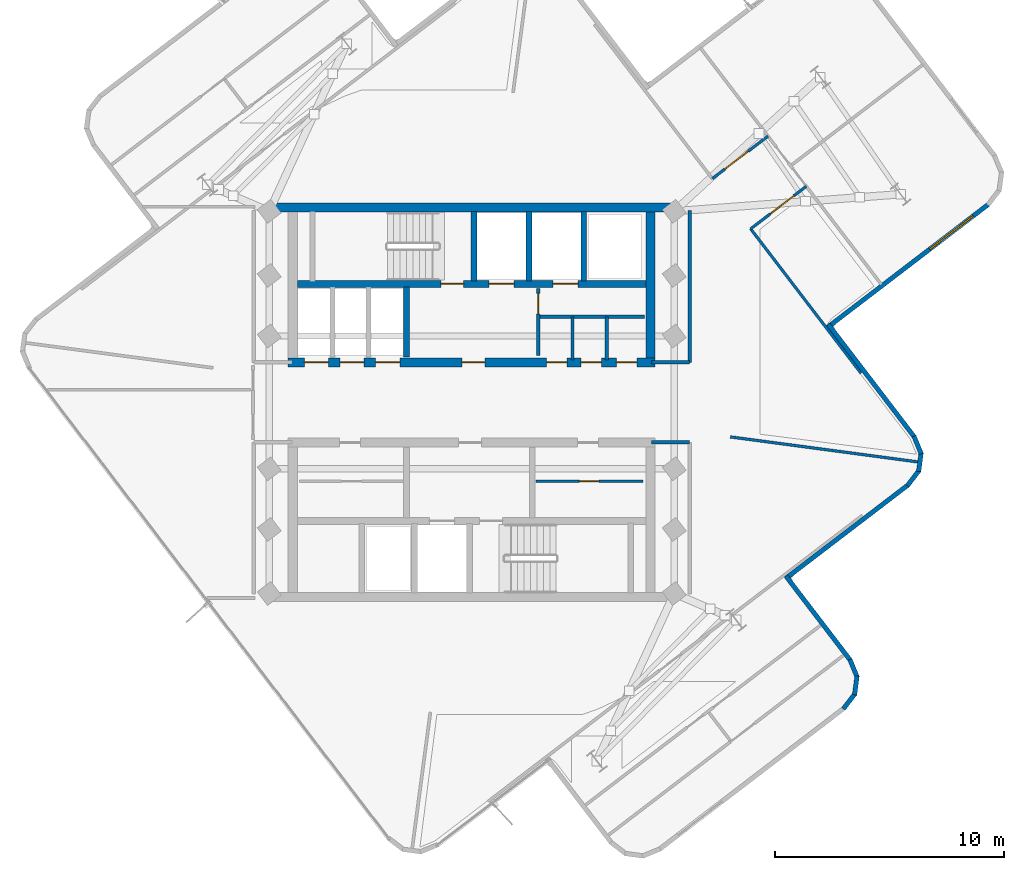
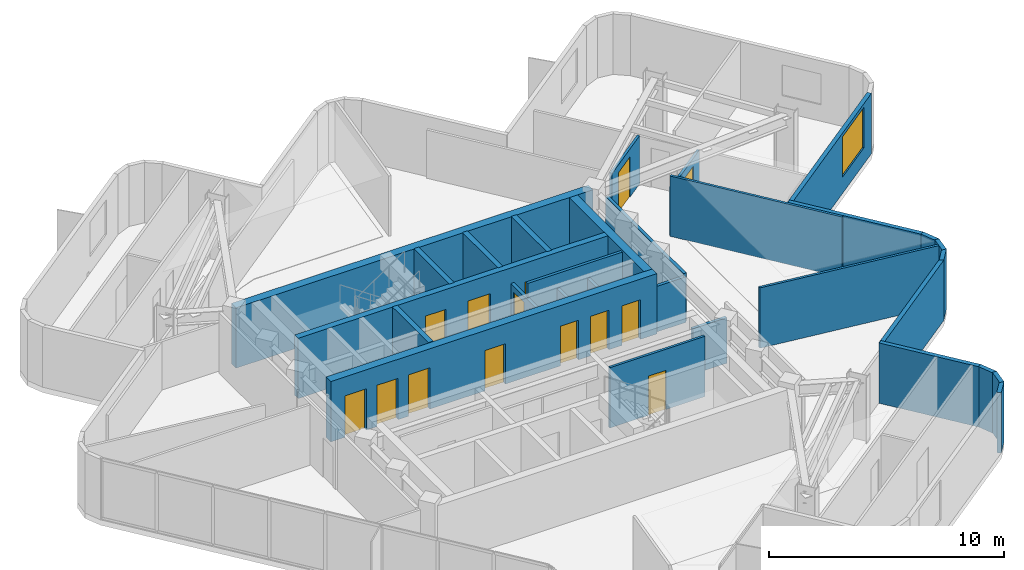
# One storey, part 6 of 9: 30 walls, 14 doors, 1 window, 15 openings.
"""IFC4 building model written with IfcOpenShell, lengths in metres."""

from ifc_helpers import new_model, si_unit, direction, frame, frame_2d, origin, place, context, subcontext, project, spatial, rectangle, extrude, material, layer, layer_set, type_object, element, fill, save


model = new_model("IFC4")

# Units and contexts
model_context = context("Model", 3, precision=1e-05, world=origin(), true_north=direction((0.0, 1.0)))
body_context = subcontext(model_context, "Body", "Model", "MODEL_VIEW")
ifc_project = project(units=[si_unit("LENGTHUNIT", "METRE"), si_unit("AREAUNIT", "SQUARE_METRE"), si_unit("VOLUMEUNIT", "CUBIC_METRE"), si_unit("PLANEANGLEUNIT", "RADIAN"), si_unit("MASSUNIT", "GRAM", prefix="KILO")], contexts=[model_context])

# Site, building, storey
site_placement = place(None, origin())
site = spatial("IfcSite", under=ifc_project, at=site_placement, CompositionType="ELEMENT")
building_placement = place(site_placement, origin())
building = spatial("IfcBuilding", under=site, at=building_placement, Name="Solmarez Civic Tower", CompositionType="ELEMENT")
storey_placement = place(building_placement, frame((0.0, 0.0, 229.139892578125)))
storey = spatial("IfcBuildingStorey", under=building, at=storey_placement, Name="L61", CompositionType="ELEMENT", Elevation=229.139892578125)

# Wall
ifc_material_1 = material(Name="Concrete C50/60", Category="concrete")
ifc_layer_1 = layer(ifc_material_1, 0.39990234375)
ifc_layer_set_1 = layer_set([ifc_layer_1], Name="Concrete C50/60")
wall_type_1 = type_object("IfcWallType", Name="WALL-CORE-400", PredefinedType="SHEAR", material=ifc_layer_set_1)
wall_1_placement = place(storey_placement, frame((-8.780029296875, 8.510009765625, 0.0), z_axis=(0.0, 0.0, 1.0), x_axis=(1.0, 0.0, 0.0)))
element("IfcWall", 1, at=wall_1_placement, inside=storey, type_object=wall_type_1, Name="L61 Split-Core Structural Wall NCW-N-L61", PredefinedType="SHEAR", context=body_context, shape_type="SweptSolid", body=[
    extrude(rectangle(XDim=17.56005859375, YDim=0.39990234375, at=frame_2d((8.780029296875, 0.0))), origin(), (0.0, 0.0, 1.0), 3.14013671875),
])

# Wall, openings, doors
wall_2_placement = place(storey_placement, frame((8.02001953125, 1.75, 0.0), z_axis=(0.0, 0.0, 1.0), x_axis=(-1.0, 0.0, 0.0)))
wall_2 = element("IfcWall", 2, at=wall_2_placement, inside=storey, type_object=wall_type_1, Name="L61 Split-Core Structural Wall NCW-S-L61", PredefinedType="SHEAR", context=body_context, shape_type="SweptSolid", body=[
    extrude(rectangle(XDim=16.0400390625, YDim=0.39990234375, at=frame_2d((8.02001953125, 0.0))), origin(), (0.0, 0.0, 1.0), 3.14013671875),
])
opening_1_placement = place(wall_2_placement, frame((7.449951171875, 0.0, 0.0)))
opening_1 = element("IfcOpeningElement", 3, at=opening_1_placement, cuts=wall_2, Name="Opening D-04", PredefinedType="OPENING", context=body_context, shape_type="SweptSolid", body=[
    extrude(rectangle(XDim=1.0, YDim=2.10009765625, at=frame_2d((0.5, 1.050048828125))), frame((0.0, 0.2099609375, 0.0), z_axis=(0.0, -1.0, 0.0), x_axis=(1.0, 0.0, 0.0)), (0.0, 0.0, 1.0), 0.419921875),
])
opening_2_placement = place(wall_2_placement, frame((14.284912109375, 0.0, 0.0)))
opening_2 = element("IfcOpeningElement", 4, at=opening_2_placement, cuts=wall_2, Name="Opening LD-01", PredefinedType="OPENING", context=body_context, shape_type="SweptSolid", body=[
    extrude(rectangle(XDim=1.050048828125, YDim=2.14990234375, at=frame_2d((0.52490234375, 1.074951171875))), frame((0.0, 0.2099609375, 0.0), z_axis=(0.0, -1.0, 0.0), x_axis=(1.0, 0.0, 0.0)), (0.0, 0.0, 1.0), 0.419921875),
])
opening_3_placement = place(wall_2_placement, frame((12.72509765625, 0.0, 0.0)))
opening_3 = element("IfcOpeningElement", 5, at=opening_3_placement, cuts=wall_2, Name="Opening LD-01", PredefinedType="OPENING", context=body_context, shape_type="SweptSolid", body=[
    extrude(rectangle(XDim=1.050048828125, YDim=2.14990234375, at=frame_2d((0.52490234375, 1.074951171875))), frame((0.0, 0.2099609375, 0.0), z_axis=(0.0, -1.0, 0.0), x_axis=(1.0, 0.0, 0.0)), (0.0, 0.0, 1.0), 0.419921875),
])
opening_4_placement = place(wall_2_placement, frame((11.1650390625, 0.0, 0.0)))
opening_4 = element("IfcOpeningElement", 6, at=opening_4_placement, cuts=wall_2, Name="Opening LD-01", PredefinedType="OPENING", context=body_context, shape_type="SweptSolid", body=[
    extrude(rectangle(XDim=1.050048828125, YDim=2.14990234375, at=frame_2d((0.52490234375, 1.074951171875))), frame((0.0, 0.2099609375, 0.0), z_axis=(0.0, -1.0, 0.0), x_axis=(1.0, 0.0, 0.0)), (0.0, 0.0, 1.0), 0.419921875),
])
opening_5_placement = place(wall_2_placement, frame((3.85009765625, 0.0, 0.0)))
opening_5 = element("IfcOpeningElement", 7, at=opening_5_placement, cuts=wall_2, Name="Opening D-09", PredefinedType="OPENING", context=body_context, shape_type="SweptSolid", body=[
    extrude(rectangle(XDim=0.89990234375, YDim=2.06005859375, at=frame_2d((0.449951171875, 1.030029296875))), frame((0.0, 0.2099609375, 0.0), z_axis=(0.0, -1.0, 0.0), x_axis=(1.0, 0.0, 0.0)), (0.0, 0.0, 1.0), 0.419921875),
])
opening_6_placement = place(wall_2_placement, frame((2.35009765625, 0.0, 0.0)))
opening_6 = element("IfcOpeningElement", 8, at=opening_6_placement, cuts=wall_2, Name="Opening D-09", PredefinedType="OPENING", context=body_context, shape_type="SweptSolid", body=[
    extrude(rectangle(XDim=0.89990234375, YDim=2.06005859375, at=frame_2d((0.449951171875, 1.030029296875))), frame((0.0, 0.2099609375, 0.0), z_axis=(0.0, -1.0, 0.0), x_axis=(1.0, 0.0, 0.0)), (0.0, 0.0, 1.0), 0.419921875),
])
opening_7_placement = place(wall_2_placement, frame((0.800048828125, 0.0, 0.0)))
opening_7 = element("IfcOpeningElement", 9, at=opening_7_placement, cuts=wall_2, Name="Opening D-09", PredefinedType="OPENING", context=body_context, shape_type="SweptSolid", body=[
    extrude(rectangle(XDim=0.89990234375, YDim=2.06005859375, at=frame_2d((0.449951171875, 1.030029296875))), frame((0.0, 0.2099609375, 0.0), z_axis=(0.0, -1.0, 0.0), x_axis=(1.0, 0.0, 0.0)), (0.0, 0.0, 1.0), 0.419921875),
])
ifc_material_2 = material(Name="Steel-Faced Acoustic Fire Door", Category="steel")
door_type_1 = type_object("IfcDoorType", Name="DOOR-FD60-1000", OperationType="NOTDEFINED", PredefinedType="DOOR", material=ifc_material_2)
door_1_placement = place(opening_1_placement, origin())
door_1 = element("IfcDoor", 10, at=door_1_placement, inside=storey, type_object=door_type_1, Name="L61 North Firefighting Lobby Door", OperationType="SINGLE_SWING_RIGHT", OverallHeight=2.10009765625, OverallWidth=1.0, PredefinedType="DOOR", context=body_context, shape_type="SweptSolid", body=[
    extrude(rectangle(XDim=1.0, YDim=2.10009765625, at=frame_2d((0.5, 1.050048828125))), frame((0.0, 0.02490234375, 0.0), z_axis=(0.0, -1.0, 0.0), x_axis=(1.0, 0.0, 0.0)), (0.0, 0.0, 1.0), 0.050048828125),
])
fill(opening_1, door_1)
ifc_material_3 = material(Name="Fire-Rated Service Core Door", Category="wood")
door_type_2 = type_object("IfcDoorType", Name="DOOR-FD60-900", OperationType="NOTDEFINED", PredefinedType="DOOR", material=ifc_material_3)
door_2_placement = place(opening_5_placement, origin())
door_2 = element("IfcDoor", 11, at=door_2_placement, inside=storey, type_object=door_type_2, Name="L61 Core WC Door", OperationType="SINGLE_SWING_RIGHT", OverallHeight=2.06005859375, OverallWidth=0.89990234375, PredefinedType="DOOR", context=body_context, shape_type="SweptSolid", body=[
    extrude(rectangle(XDim=0.89990234375, YDim=2.06005859375, at=frame_2d((0.449951171875, 1.030029296875))), frame((0.0, 0.02490234375, 0.0), z_axis=(0.0, -1.0, 0.0), x_axis=(1.0, 0.0, 0.0)), (0.0, 0.0, 1.0), 0.050048828125),
])
fill(opening_5, door_2)
door_3_placement = place(opening_6_placement, origin())
door_3 = element("IfcDoor", 12, at=door_3_placement, inside=storey, type_object=door_type_2, Name="L61 Core CL Door", OperationType="SINGLE_SWING_LEFT", OverallHeight=2.06005859375, OverallWidth=0.89990234375, PredefinedType="DOOR", context=body_context, shape_type="SweptSolid", body=[
    extrude(rectangle(XDim=0.89990234375, YDim=2.06005859375, at=frame_2d((0.449951171875, 1.030029296875))), frame((0.0, 0.02490234375, 0.0), z_axis=(0.0, -1.0, 0.0), x_axis=(1.0, 0.0, 0.0)), (0.0, 0.0, 1.0), 0.050048828125),
])
fill(opening_6, door_3)
door_4_placement = place(opening_7_placement, origin())
door_4 = element("IfcDoor", 13, at=door_4_placement, inside=storey, type_object=door_type_2, Name="L61 Core IT Door", OperationType="SINGLE_SWING_LEFT", OverallHeight=2.06005859375, OverallWidth=0.89990234375, PredefinedType="DOOR", context=body_context, shape_type="SweptSolid", body=[
    extrude(rectangle(XDim=0.89990234375, YDim=2.06005859375, at=frame_2d((0.449951171875, 1.030029296875))), frame((0.0, 0.02490234375, 0.0), z_axis=(0.0, -1.0, 0.0), x_axis=(1.0, 0.0, 0.0)), (0.0, 0.0, 1.0), 0.050048828125),
])
fill(opening_7, door_4)
ifc_material_4 = material(Name="Bronze Passenger Lift Landing Sliding Door", Category="aluminium")
door_type_3 = type_object("IfcDoorType", Name="DOOR-LD-PAX-1050", OperationType="DOUBLE_DOOR_SLIDING", PredefinedType="DOOR", material=ifc_material_4)
door_5_placement = place(opening_2_placement, origin())
door_5 = element("IfcDoor", 14, at=door_5_placement, inside=storey, type_object=door_type_3, Name="L61 High-Rise Lift Landing Door PL-H1", OperationType="DOUBLE_DOOR_SLIDING", OverallHeight=2.14990234375, OverallWidth=1.050048828125, PredefinedType="DOOR", context=body_context, shape_type="SweptSolid", body=[
    extrude(rectangle(XDim=1.050048828125, YDim=2.14990234375, at=frame_2d((0.52490234375, 1.074951171875))), frame((0.0, 0.02490234375, 0.0), z_axis=(0.0, -1.0, 0.0), x_axis=(1.0, 0.0, 0.0)), (0.0, 0.0, 1.0), 0.050048828125),
])
fill(opening_2, door_5)
door_6_placement = place(opening_3_placement, origin())
door_6 = element("IfcDoor", 15, at=door_6_placement, inside=storey, type_object=door_type_3, Name="L61 High-Rise Lift Landing Door PL-H2", OperationType="DOUBLE_DOOR_SLIDING", OverallHeight=2.14990234375, OverallWidth=1.050048828125, PredefinedType="DOOR", context=body_context, shape_type="SweptSolid", body=[
    extrude(rectangle(XDim=1.050048828125, YDim=2.14990234375, at=frame_2d((0.52490234375, 1.074951171875))), frame((0.0, 0.02490234375, 0.0), z_axis=(0.0, -1.0, 0.0), x_axis=(1.0, 0.0, 0.0)), (0.0, 0.0, 1.0), 0.050048828125),
])
fill(opening_3, door_6)
door_7_placement = place(opening_4_placement, origin())
door_7 = element("IfcDoor", 16, at=door_7_placement, inside=storey, type_object=door_type_3, Name="L61 High-Rise Lift Landing Door PL-H3", OperationType="DOUBLE_DOOR_SLIDING", OverallHeight=2.14990234375, OverallWidth=1.050048828125, PredefinedType="DOOR", context=body_context, shape_type="SweptSolid", body=[
    extrude(rectangle(XDim=1.050048828125, YDim=2.14990234375, at=frame_2d((0.52490234375, 1.074951171875))), frame((0.0, 0.02490234375, 0.0), z_axis=(0.0, -1.0, 0.0), x_axis=(1.0, 0.0, 0.0)), (0.0, 0.0, 1.0), 0.050048828125),
])
fill(opening_4, door_7)

# Wall
wall_3_placement = place(storey_placement, frame((7.820068359375, 8.31005859375, 0.0), z_axis=(0.0, 0.0, 1.0), x_axis=(0.0, -1.0, 0.0)))
element("IfcWall", 17, at=wall_3_placement, inside=storey, type_object=wall_type_1, Name="L61 Split-Core Structural Wall NCW-E-L61", PredefinedType="SHEAR", context=body_context, shape_type="SweptSolid", body=[
    extrude(rectangle(XDim=6.360107421875, YDim=0.39990234375, at=frame_2d((3.18017578125, 0.0))), origin(), (0.0, 0.0, 1.0), 3.14013671875),
])

# Wall, opening, window
ifc_material_5 = material(Name="Precast concrete C40/50", Category="concrete")
ifc_layer_2 = layer(ifc_material_5, 0.199951171875)
ifc_layer_set_2 = layer_set([ifc_layer_2], Name="Precast concrete C40/50")
wall_type_2 = type_object("IfcWallType", Name="WALL-EXT-200", PredefinedType="SOLIDWALL", material=ifc_layer_set_2)
wall_4_placement = place(storey_placement, frame((22.593994140625, 8.6640625, 0.0), z_axis=(0.0, 0.0, 1.0), x_axis=(-0.794406416539, -0.607386569954, 0.0)))
wall_4 = element("IfcWall", 18, at=wall_4_placement, inside=storey, type_object=wall_type_2, Name="L61 Exterior Precast Wall 39", PredefinedType="SOLIDWALL", context=body_context, shape_type="SweptSolid", body=[
    extrude(rectangle(XDim=8.843017578125, YDim=0.199951171875, at=frame_2d((4.42138671875, 0.0))), origin(), (0.0, 0.0, 1.0), 3.14013671875),
])
opening_8_placement = place(wall_4_placement, frame((0.85009765625, 0.0, 0.85009765625)))
opening_8 = element("IfcOpeningElement", 19, at=opening_8_placement, cuts=wall_4, Name="Opening W-02", PredefinedType="OPENING", context=body_context, shape_type="SweptSolid", body=[
    extrude(rectangle(XDim=2.39990234375, YDim=2.10009765625, at=frame_2d((1.199951171875, 1.050048828125))), frame((0.0, 0.10986328125, 0.0), z_axis=(0.0, -1.0, 0.0), x_axis=(1.0, 0.0, 0.0)), (0.0, 0.0, 1.0), 0.219970703125),
])
ifc_material_6 = material(Name="Solar Control Bronze-Tinted Insulating Glass", Category="glass")
window_type = type_object("IfcWindowType", Name="WIN-2400X2100", PartitioningType="SINGLE_PANEL", PredefinedType="WINDOW", material=ifc_material_6)
window_placement = place(opening_8_placement, origin())
window = element("IfcWindow", 20, at=window_placement, inside=storey, type_object=window_type, Name="L61 Exterior Facade Window 39", OverallHeight=2.10009765625, OverallWidth=2.39990234375, PartitioningType="SINGLE_PANEL", PredefinedType="WINDOW", context=body_context, shape_type="SweptSolid", body=[
    extrude(rectangle(XDim=2.39990234375, YDim=2.10009765625, at=frame_2d((1.199951171875, 1.050048828125))), frame((0.0, 0.030029296875, 0.0), z_axis=(0.0, -1.0, 0.0), x_axis=(1.0, 0.0, 0.0)), (0.0, 0.0, 1.0), 0.06005859375),
])
fill(opening_8, window)

# Walls
wall_5_placement = place(storey_placement, frame((15.583984375, 3.406005859375, 0.0), z_axis=(0.0, 0.0, 1.0), x_axis=(0.60748663121, -0.794329901805, 0.0)))
element("IfcWall", 21, at=wall_5_placement, inside=storey, type_object=wall_type_2, Name="L61 Exterior Precast Wall 42", PredefinedType="SOLIDWALL", context=body_context, shape_type="SweptSolid", body=[
    extrude(rectangle(XDim=6.20263671875, YDim=0.199951171875, at=frame_2d((3.101318359375, 0.0))), origin(), (0.0, 0.0, 1.0), 3.14013671875),
])
wall_6_placement = place(storey_placement, frame((19.326904296875, -1.47802734375, 0.0), z_axis=(0.0, 0.0, 1.0), x_axis=(0.382171551451, -0.924091394431, 0.0)))
element("IfcWall", 22, at=wall_6_placement, inside=storey, type_object=wall_type_2, Name="L61 Exterior Precast Wall 43", PredefinedType="SOLIDWALL", context=body_context, shape_type="SweptSolid", body=[
    extrude(rectangle(XDim=0.83740234375, YDim=0.199951171875, at=frame_2d((0.418701171875, 0.0))), origin(), (0.0, 0.0, 1.0), 3.14013671875),
])
wall_7_placement = place(storey_placement, frame((19.639892578125, -2.2041015625, 0.0), z_axis=(0.0, 0.0, 1.0), x_axis=(-0.130806653943, -0.99140789753, 0.0)))
element("IfcWall", 23, at=wall_7_placement, inside=storey, type_object=wall_type_2, Name="L61 Exterior Precast Wall 44", PredefinedType="SOLIDWALL", context=body_context, shape_type="SweptSolid", body=[
    extrude(rectangle(XDim=0.824951171875, YDim=0.199951171875, at=frame_2d((0.41259765625, 0.0))), origin(), (0.0, 0.0, 1.0), 3.14013671875),
])
wall_8_placement = place(storey_placement, frame((19.550048828125, -2.97705078125, 0.0), z_axis=(0.0, 0.0, 1.0), x_axis=(-0.609274558022, -0.792959338773, 0.0)))
element("IfcWall", 24, at=wall_8_placement, inside=storey, type_object=wall_type_2, Name="L61 Exterior Precast Wall 45", PredefinedType="SOLIDWALL", context=body_context, shape_type="SweptSolid", body=[
    extrude(rectangle(XDim=0.838623046875, YDim=0.199951171875, at=frame_2d((0.41943359375, 0.0))), origin(), (0.0, 0.0, 1.0), 3.14013671875),
])
wall_9_placement = place(storey_placement, frame((19.073974609375, -3.60693359375, 0.0), z_axis=(0.0, 0.0, 1.0), x_axis=(-0.794465731546, -0.607308983466, 0.0)))
element("IfcWall", 25, at=wall_9_placement, inside=storey, type_object=wall_type_2, Name="L61 Exterior Precast Wall 46", PredefinedType="SOLIDWALL", context=body_context, shape_type="SweptSolid", body=[
    extrude(rectangle(XDim=6.742919921875, YDim=0.199951171875, at=frame_2d((3.37158203125, 0.0))), origin(), (0.0, 0.0, 1.0), 3.14013671875),
])
wall_10_placement = place(storey_placement, frame((13.73193359375, -7.589111328125, 0.0), z_axis=(0.0, 0.0, 1.0), x_axis=(0.607428636372, -0.794374251669, 0.0)))
element("IfcWall", 26, at=wall_10_placement, inside=storey, type_object=wall_type_2, Name="L61 Exterior Precast Wall 49", PredefinedType="SOLIDWALL", context=body_context, shape_type="SweptSolid", body=[
    extrude(rectangle(XDim=4.642578125, YDim=0.199951171875, at=frame_2d((2.3212890625, 0.0))), origin(), (0.0, 0.0, 1.0), 3.14013671875),
])
wall_11_placement = place(storey_placement, frame((16.527099609375, -11.23388671875, 0.0), z_axis=(0.0, 0.0, 1.0), x_axis=(0.381408676087, -0.924406524104, 0.0)))
element("IfcWall", 27, at=wall_11_placement, inside=storey, type_object=wall_type_2, Name="L61 Exterior Precast Wall 50", PredefinedType="SOLIDWALL", context=body_context, shape_type="SweptSolid", body=[
    extrude(rectangle(XDim=0.838623046875, YDim=0.199951171875, at=frame_2d((0.41943359375, 0.0))), origin(), (0.0, 0.0, 1.0), 3.14013671875),
])
wall_12_placement = place(storey_placement, frame((16.840087890625, -11.9609375, 0.0), z_axis=(0.0, 0.0, 1.0), x_axis=(-0.131059066172, -0.991374561492, 0.0)))
element("IfcWall", 28, at=wall_12_placement, inside=storey, type_object=wall_type_2, Name="L61 Exterior Precast Wall 51", PredefinedType="SOLIDWALL", context=body_context, shape_type="SweptSolid", body=[
    extrude(rectangle(XDim=0.8251953125, YDim=0.199951171875, at=frame_2d((0.41259765625, 0.0))), origin(), (0.0, 0.0, 1.0), 3.14013671875),
])
wall_13_placement = place(storey_placement, frame((16.75, -12.73388671875, 0.0), z_axis=(0.0, 0.0, 1.0), x_axis=(-0.609837482774, -0.792526494575, 0.0)))
element("IfcWall", 29, at=wall_13_placement, inside=storey, type_object=wall_type_2, Name="L61 Exterior Precast Wall 52", PredefinedType="SOLIDWALL", context=body_context, shape_type="SweptSolid", body=[
    extrude(rectangle(XDim=0.837890625, YDim=0.199951171875, at=frame_2d((0.4189453125, 0.0))), origin(), (0.0, 0.0, 1.0), 3.14013671875),
])
ifc_material_7 = material(Name="Gypsum Board Acoustic Steel-Stud Partition", Category="steel")
ifc_layer_3 = layer(ifc_material_7, 0.14990234375)
ifc_layer_set_3 = layer_set([ifc_layer_3], Name="Gypsum Board Acoustic Steel-Stud Partition")
wall_type_3 = type_object("IfcWallType", Name="WALL-INT-FIRE-150", PredefinedType="PARTITIONING", material=ifc_layer_set_3)
wall_14_placement = place(storey_placement, frame((9.52001953125, 1.75, 0.0), z_axis=(0.0, 0.0, 1.0), x_axis=(0.0, 1.0, 0.0)))
element("IfcWall", 30, at=wall_14_placement, inside=storey, type_object=wall_type_3, Name="L61 Interior Partition CHW-L61-EN1", PredefinedType="PARTITIONING", context=body_context, shape_type="SweptSolid", body=[
    extrude(rectangle(XDim=6.6298828125, YDim=0.14990234375, at=frame_2d((3.31494140625, 0.0))), origin(), (0.0, 0.0, 1.0), 2.510009765625),
])
for number, where, z_axis, x_axis, name in (
    (31, (7.85009765625, 1.75, 0.0), (0.0, 0.0, 1.0), (1.0, 0.0, 0.0), "L61 Interior Partition CHW-L61-EN3"),
    (32, (7.85009765625, -1.75, 0.0), (0.0, 0.0, 1.0), (1.0, 0.0, 0.0), "L61 Interior Partition CHW-L61-ES3"),
):
    element("IfcWall", number, at=place(storey_placement, frame(where, z_axis=z_axis, x_axis=x_axis)), inside=storey, type_object=wall_type_3, Name=name, PredefinedType="PARTITIONING", context=body_context, shape_type="SweptSolid", body=[
        extrude(rectangle(XDim=1.669921875, YDim=0.14990234375, at=frame_2d((0.8349609375, 0.0))), origin(), (0.0, 0.0, 1.0), 2.3701171875),
    ])

# Wall, opening, door
ifc_layer_4 = layer(ifc_material_7, 0.1201171875)
ifc_layer_set_4 = layer_set([ifc_layer_4], Name="Gypsum Board Acoustic Steel-Stud Partition")
wall_type_4 = type_object("IfcWallType", Name="WALL-INT-PART-120", PredefinedType="PARTITIONING", material=ifc_layer_set_4)
wall_15_placement = place(storey_placement, frame((2.800048828125, -3.449951171875, 0.0), z_axis=(0.0, 0.0, 1.0), x_axis=(1.0, 0.0, 0.0)))
wall_15 = element("IfcWall", 33, at=wall_15_placement, inside=storey, type_object=wall_type_4, Name="L61 Interior Partition PT-FPLL-L61", PredefinedType="PARTITIONING", context=body_context, shape_type="SweptSolid", body=[
    extrude(rectangle(XDim=4.679931640625, YDim=0.1201171875, at=frame_2d((2.33984375, 0.0))), origin(), (0.0, 0.0, 1.0), 3.14013671875),
])
opening_9_placement = place(wall_15_placement, frame((1.89990234375, 0.0, 0.0)))
opening_9 = element("IfcOpeningElement", 34, at=opening_9_placement, cuts=wall_15, Name="Opening D-14", PredefinedType="OPENING", context=body_context, shape_type="SweptSolid", body=[
    extrude(rectangle(XDim=0.860107421875, YDim=2.0400390625, at=frame_2d((0.43017578125, 1.02001953125))), frame((0.0, 0.070068359375, 0.0), z_axis=(0.0, -1.0, 0.0), x_axis=(1.0, 0.0, 0.0)), (0.0, 0.0, 1.0), 0.14013671875),
])
ifc_material_8 = material(Name="Timber Storage and Pantry Door", Category="wood")
door_type_4 = type_object("IfcDoorType", Name="DOOR-INT-850", OperationType="NOTDEFINED", PredefinedType="DOOR", material=ifc_material_8)
door_8_placement = place(opening_9_placement, origin())
door_8 = element("IfcDoor", 35, at=door_8_placement, inside=storey, type_object=door_type_4, Name="L61 Records Filing Room Door", OperationType="SINGLE_SWING_LEFT", OverallHeight=2.0400390625, OverallWidth=0.860107421875, PredefinedType="DOOR", context=body_context, shape_type="SweptSolid", body=[
    extrude(rectangle(XDim=0.860107421875, YDim=2.0400390625, at=frame_2d((0.43017578125, 1.02001953125))), frame((0.0, 0.02490234375, 0.0), z_axis=(0.0, -1.0, 0.0), x_axis=(1.0, 0.0, 0.0)), (0.0, 0.0, 1.0), 0.050048828125),
])
fill(opening_9, door_8)

# Walls
wall_16_placement = place(storey_placement, frame((11.300048828125, -1.508056640625, 0.0), z_axis=(0.0, 0.0, 1.0), x_axis=(0.99121735818, -0.132242764804, 0.0)))
element("IfcWall", 36, at=wall_16_placement, inside=storey, type_object=wall_type_4, Name="L61 Interior Partition PT-L61-QDIV-4", PredefinedType="PARTITIONING", context=body_context, shape_type="SweptSolid", body=[
    extrude(rectangle(XDim=8.294677734375, YDim=0.1201171875, at=frame_2d((4.1474609375, 0.0))), origin(), (0.0, 0.0, 1.0), 3.14013671875),
])
wall_17_placement = place(storey_placement, frame((17.011962890625, 1.27490234375, 0.0), z_axis=(0.0, 0.0, 1.0), x_axis=(-0.60728139249, 0.794486822003, 0.0)))
element("IfcWall", 37, at=wall_17_placement, inside=storey, type_object=wall_type_4, Name="L61 Interior Partition PT-L61-E-EFR", PredefinedType="PARTITIONING", context=body_context, shape_type="SweptSolid", body=[
    extrude(rectangle(XDim=7.949951171875, YDim=0.1201171875, at=frame_2d((3.97509765625, 0.0))), origin(), (0.0, 0.0, 1.0), 3.14013671875),
])

# Wall, opening, door
wall_18_placement = place(storey_placement, frame((12.945068359375, 11.634033203125, 0.0), z_axis=(0.0, 0.0, 1.0), x_axis=(-0.794509541066, -0.607251668714, 0.0)))
wall_18 = element("IfcWall", 38, at=wall_18_placement, inside=storey, type_object=wall_type_4, Name="L61 Interior Partition PT-L61-E-SL", PredefinedType="PARTITIONING", context=body_context, shape_type="SweptSolid", body=[
    extrude(rectangle(XDim=3.06005859375, YDim=0.1201171875, at=frame_2d((1.530029296875, 0.0))), origin(), (0.0, 0.0, 1.0), 2.510009765625),
])
opening_10_placement = place(wall_18_placement, frame((1.080078125, 0.0, 0.0)))
opening_10 = element("IfcOpeningElement", 39, at=opening_10_placement, cuts=wall_18, Name="Opening D-15", PredefinedType="OPENING", context=body_context, shape_type="SweptSolid", body=[
    extrude(rectangle(XDim=1.300048828125, YDim=2.10009765625, at=frame_2d((0.64990234375, 1.050048828125))), frame((0.0, 0.070068359375, 0.0), z_axis=(0.0, -1.0, 0.0), x_axis=(1.0, 0.0, 0.0)), (0.0, 0.0, 1.0), 0.14013671875),
])
ifc_material_9 = material(Name="Tribunal Hearing Conference Door", Category="wood")
door_type_5 = type_object("IfcDoorType", Name="DOOR-INT-1300", OperationType="NOTDEFINED", PredefinedType="DOOR", material=ifc_material_9)
door_9_placement = place(opening_10_placement, origin())
door_9 = element("IfcDoor", 40, at=door_9_placement, inside=storey, type_object=door_type_5, Name="L61 Municipal Law Library East Door", OperationType="SINGLE_SWING_LEFT", OverallHeight=2.10009765625, OverallWidth=1.300048828125, PredefinedType="DOOR", context=body_context, shape_type="SweptSolid", body=[
    extrude(rectangle(XDim=1.300048828125, YDim=2.10009765625, at=frame_2d((0.64990234375, 1.050048828125))), frame((0.0, 0.02490234375, 0.0), z_axis=(0.0, -1.0, 0.0), x_axis=(1.0, 0.0, 0.0)), (0.0, 0.0, 1.0), 0.050048828125),
])
fill(opening_10, door_9)

wall_19_placement = place(storey_placement, frame((12.18994140625, 7.5830078125, 0.0), z_axis=(0.0, 0.0, 1.0), x_axis=(0.794394061013, 0.607402729519, 0.0)))
wall_19 = element("IfcWall", 41, at=wall_19_placement, inside=storey, type_object=wall_type_4, Name="L61 Interior Partition PT-L61-E-SR", PredefinedType="PARTITIONING", context=body_context, shape_type="SweptSolid", body=[
    extrude(rectangle(XDim=3.060302734375, YDim=0.1201171875, at=frame_2d((1.5302734375, 0.0))), origin(), (0.0, 0.0, 1.0), 2.510009765625),
])
opening_11_placement = place(wall_19_placement, frame((1.080078125, 0.0, 0.0)))
opening_11 = element("IfcOpeningElement", 42, at=opening_11_placement, cuts=wall_19, Name="Opening D-15", PredefinedType="OPENING", context=body_context, shape_type="SweptSolid", body=[
    extrude(rectangle(XDim=1.300048828125, YDim=2.10009765625, at=frame_2d((0.64990234375, 1.050048828125))), frame((0.0, 0.070068359375, 0.0), z_axis=(0.0, -1.0, 0.0), x_axis=(1.0, 0.0, 0.0)), (0.0, 0.0, 1.0), 0.14013671875),
])
door_10_placement = place(opening_11_placement, origin())
door_10 = element("IfcDoor", 43, at=door_10_placement, inside=storey, type_object=door_type_5, Name="L61 Public Reading Room East Door", OperationType="SINGLE_SWING_RIGHT", OverallHeight=2.10009765625, OverallWidth=1.300048828125, PredefinedType="DOOR", context=body_context, shape_type="SweptSolid", body=[
    extrude(rectangle(XDim=1.300048828125, YDim=2.10009765625, at=frame_2d((0.64990234375, 1.050048828125))), frame((0.0, 0.02490234375, 0.0), z_axis=(0.0, -1.0, 0.0), x_axis=(1.0, 0.0, 0.0)), (0.0, 0.0, 1.0), 0.050048828125),
])
fill(opening_11, door_10)

ifc_layer_5 = layer(ifc_material_7, 0.159912109375)
ifc_layer_set_5 = layer_set([ifc_layer_5], Name="Gypsum Board Acoustic Steel-Stud Partition")
wall_type_5 = type_object("IfcWallType", Name="WALL-INT-SHAFT-160", PredefinedType="PARTITIONING", material=ifc_layer_set_5)
wall_20_placement = place(storey_placement, frame((2.89990234375, 2.0400390625, 0.0), z_axis=(0.0, 0.0, 1.0), x_axis=(0.0, 1.0, 0.0)))
wall_20 = element("IfcWall", 44, at=wall_20_placement, inside=storey, type_object=wall_type_5, Name="L61 Interior Partition SHW-NL2-L61", PredefinedType="PARTITIONING", context=body_context, shape_type="SweptSolid", body=[
    extrude(rectangle(XDim=2.93994140625, YDim=0.159912109375, at=frame_2d((1.469970703125, 0.0))), origin(), (0.0, 0.0, 1.0), 2.3701171875),
])
opening_12_placement = place(wall_20_placement, frame((1.820068359375, 0.0, 0.0)))
opening_12 = element("IfcOpeningElement", 45, at=opening_12_placement, cuts=wall_20, Name="Opening D-09", PredefinedType="OPENING", context=body_context, shape_type="SweptSolid", body=[
    extrude(rectangle(XDim=0.89990234375, YDim=2.06005859375, at=frame_2d((0.449951171875, 1.030029296875))), frame((0.0, 0.08984375, 0.0), z_axis=(0.0, -1.0, 0.0), x_axis=(1.0, 0.0, 0.0)), (0.0, 0.0, 1.0), 0.179931640625),
])
door_11_placement = place(opening_12_placement, origin())
door_11 = element("IfcDoor", 46, at=door_11_placement, inside=storey, type_object=door_type_2, Name="L61 Service Lift Lobby Door", OperationType="SINGLE_SWING_LEFT", OverallHeight=2.06005859375, OverallWidth=0.89990234375, PredefinedType="DOOR", context=body_context, shape_type="SweptSolid", body=[
    extrude(rectangle(XDim=0.89990234375, YDim=2.06005859375, at=frame_2d((0.449951171875, 1.030029296875))), frame((0.0, 0.02490234375, 0.0), z_axis=(0.0, -1.0, 0.0), x_axis=(1.0, 0.0, 0.0)), (0.0, 0.0, 1.0), 0.050048828125),
])
fill(opening_12, door_11)

# Walls
ifc_layer_6 = layer(ifc_material_7, 0.137939453125)
ifc_layer_set_6 = layer_set([ifc_layer_6], Name="Gypsum Board Acoustic Steel-Stud Partition")
wall_type_6 = type_object("IfcWallType", Name="WALL-INT-WET-140", PredefinedType="PARTITIONING", material=ifc_layer_set_6)
wall_21_placement = place(storey_placement, frame((2.89990234375, 3.739990234375, 0.0), z_axis=(0.0, 0.0, 1.0), x_axis=(1.0, 0.0, 0.0)))
element("IfcWall", 47, at=wall_21_placement, inside=storey, type_object=wall_type_6, Name="L61 Interior Partition SHW-SVH-L61", PredefinedType="PARTITIONING", context=body_context, shape_type="SweptSolid", body=[
    extrude(rectangle(XDim=4.650146484375, YDim=0.137939453125, at=frame_2d((2.3251953125, 0.0))), origin(), (0.0, 0.0, 1.0), 3.14013671875),
])
for number, where, z_axis, x_axis, name in (
    (48, (4.39990234375, 1.85009765625, 0.0), (0.0, 0.0, 1.0), (0.0, 1.0, 0.0), "L61 Interior Partition PT-NCSV1-L61"),
    (49, (5.89990234375, 1.85009765625, 0.0), (0.0, 0.0, 1.0), (0.0, 1.0, 0.0), "L61 Interior Partition PT-NCSV2-L61"),
):
    element("IfcWall", number, at=place(storey_placement, frame(where, z_axis=z_axis, x_axis=x_axis)), inside=storey, type_object=wall_type_6, Name=name, PredefinedType="PARTITIONING", context=body_context, shape_type="SweptSolid", body=[
        extrude(rectangle(XDim=1.889892578125, YDim=0.137939453125, at=frame_2d((0.94482421875, 0.0))), origin(), (0.0, 0.0, 1.0), 2.3701171875),
    ])

# Wall, openings, doors
ifc_layer_7 = layer(ifc_material_1, 0.300048828125)
ifc_layer_set_7 = layer_set([ifc_layer_7], Name="Concrete C50/60")
wall_type_7 = type_object("IfcWallType", Name="WALL-STR-300", PredefinedType="SOLIDWALL", material=ifc_layer_set_7)
wall_22_placement = place(storey_placement, frame((7.6201171875, 5.179931640625, 0.0), z_axis=(0.0, 0.0, 1.0), x_axis=(-1.0, 0.0, 0.0)))
wall_22 = element("IfcWall", 50, at=wall_22_placement, inside=storey, type_object=wall_type_7, Name="L61 Split-Core Structural Wall NCW-M-L61", PredefinedType="SOLIDWALL", context=body_context, shape_type="SweptSolid", body=[
    extrude(rectangle(XDim=15.240234375, YDim=0.300048828125, at=frame_2d((7.6201171875, 0.0))), origin(), (0.0, 0.0, 1.0), 3.14013671875),
])
opening_13_placement = place(wall_22_placement, frame((5.77001953125, 0.0, 0.0)))
opening_13 = element("IfcOpeningElement", 51, at=opening_13_placement, cuts=wall_22, Name="Opening LD-02", PredefinedType="OPENING", context=body_context, shape_type="SweptSolid", body=[
    extrude(rectangle(XDim=1.10009765625, YDim=2.14990234375, at=frame_2d((0.550048828125, 1.074951171875))), frame((0.0, 0.159912109375, 0.0), z_axis=(0.0, -1.0, 0.0), x_axis=(1.0, 0.0, 0.0)), (0.0, 0.0, 1.0), 0.320068359375),
])
opening_14_placement = place(wall_22_placement, frame((2.969970703125, 0.0, 0.0)))
opening_14 = element("IfcOpeningElement", 52, at=opening_14_placement, cuts=wall_22, Name="Opening LD-03", PredefinedType="OPENING", context=body_context, shape_type="SweptSolid", body=[
    extrude(rectangle(XDim=1.10009765625, YDim=2.14990234375, at=frame_2d((0.550048828125, 1.074951171875))), frame((0.0, 0.159912109375, 0.0), z_axis=(0.0, -1.0, 0.0), x_axis=(1.0, 0.0, 0.0)), (0.0, 0.0, 1.0), 0.320068359375),
])
opening_15_placement = place(wall_22_placement, frame((7.969970703125, 0.0, 0.0)))
opening_15 = element("IfcOpeningElement", 53, at=opening_15_placement, cuts=wall_22, Name="Opening D-05", PredefinedType="OPENING", context=body_context, shape_type="SweptSolid", body=[
    extrude(rectangle(XDim=1.0, YDim=2.10009765625, at=frame_2d((0.5, 1.050048828125))), frame((0.0, 0.159912109375, 0.0), z_axis=(0.0, -1.0, 0.0), x_axis=(1.0, 0.0, 0.0)), (0.0, 0.0, 1.0), 0.320068359375),
])
ifc_material_10 = material(Name="Fire-Rated Stairwell Exit Door", Category="wood")
door_type_6 = type_object("IfcDoorType", Name="DOOR-FD90-1000", OperationType="NOTDEFINED", PredefinedType="DOOR", material=ifc_material_10)
door_12_placement = place(opening_15_placement, origin())
door_12 = element("IfcDoor", 54, at=door_12_placement, inside=storey, type_object=door_type_6, Name="L61 North Exit Stair Door ST-1", OperationType="SINGLE_SWING_RIGHT", OverallHeight=2.10009765625, OverallWidth=1.0, PredefinedType="DOOR", context=body_context, shape_type="SweptSolid", body=[
    extrude(rectangle(XDim=1.0, YDim=2.10009765625, at=frame_2d((0.5, 1.050048828125))), frame((0.0, 0.02490234375, 0.0), z_axis=(0.0, -1.0, 0.0), x_axis=(1.0, 0.0, 0.0)), (0.0, 0.0, 1.0), 0.050048828125),
])
fill(opening_15, door_12)
ifc_material_11 = material(Name="Stainless Firefighting Lift Landing Sliding Door", Category="aluminium")
door_type_7 = type_object("IfcDoorType", Name="DOOR-LD-FF-1100", OperationType="DOUBLE_DOOR_SLIDING", PredefinedType="DOOR", material=ifc_material_11)
door_13_placement = place(opening_13_placement, origin())
door_13 = element("IfcDoor", 55, at=door_13_placement, inside=storey, type_object=door_type_7, Name="L61 Firefighting Lift Landing Door FFL-1", OperationType="DOUBLE_DOOR_SLIDING", OverallHeight=2.14990234375, OverallWidth=1.10009765625, PredefinedType="DOOR", context=body_context, shape_type="SweptSolid", body=[
    extrude(rectangle(XDim=1.10009765625, YDim=2.14990234375, at=frame_2d((0.550048828125, 1.074951171875))), frame((0.0, 0.02490234375, 0.0), z_axis=(0.0, -1.0, 0.0), x_axis=(1.0, 0.0, 0.0)), (0.0, 0.0, 1.0), 0.050048828125),
])
fill(opening_13, door_13)
ifc_material_12 = material(Name="Stainless Stretcher Lift Landing Sliding Door", Category="aluminium")
door_type_8 = type_object("IfcDoorType", Name="DOOR-LD-SV-1100", OperationType="DOUBLE_DOOR_SLIDING", PredefinedType="DOOR", material=ifc_material_12)
door_14_placement = place(opening_14_placement, origin())
door_14 = element("IfcDoor", 56, at=door_14_placement, inside=storey, type_object=door_type_8, Name="L61 Service Stretcher Lift Landing Door SVL-1", OperationType="DOUBLE_DOOR_SLIDING", OverallHeight=2.14990234375, OverallWidth=1.10009765625, PredefinedType="DOOR", context=body_context, shape_type="SweptSolid", body=[
    extrude(rectangle(XDim=1.10009765625, YDim=2.14990234375, at=frame_2d((0.550048828125, 1.074951171875))), frame((0.0, 0.02490234375, 0.0), z_axis=(0.0, -1.0, 0.0), x_axis=(1.0, 0.0, 0.0)), (0.0, 0.0, 1.0), 0.050048828125),
])
fill(opening_14, door_14)

# Walls
for number, where, z_axis, x_axis, name in (
    (57, (0.10009765625, 5.300048828125, 0.0), (0.0, 0.0, 1.0), (0.0, 1.0, 0.0), "L61 Split-Core Structural Wall SHW-N1-L61"),
    (58, (2.5, 5.300048828125, 0.0), (0.0, 0.0, 1.0), (0.0, 1.0, 0.0), "L61 Split-Core Structural Wall SHW-N2-L61"),
    (59, (4.89990234375, 5.300048828125, 0.0), (0.0, 0.0, 1.0), (0.0, 1.0, 0.0), "L61 Split-Core Structural Wall SHW-N3-L61"),
):
    element("IfcWall", number, at=place(storey_placement, frame(where, z_axis=z_axis, x_axis=x_axis)), inside=storey, type_object=wall_type_7, Name=name, PredefinedType="SOLIDWALL", context=body_context, shape_type="SweptSolid", body=[
        extrude(rectangle(XDim=3.0400390625, YDim=0.25, at=frame_2d((1.52001953125, 0.0))), origin(), (0.0, 0.0, 1.0), 3.14013671875),
    ])
wall_23_placement = place(storey_placement, frame((-2.85009765625, 1.97998046875, 0.0), z_axis=(0.0, 0.0, 1.0), x_axis=(0.0, 1.0, 0.0)))
element("IfcWall", 60, at=wall_23_placement, inside=storey, type_object=wall_type_7, Name="L61 Split-Core Structural Wall SHW-NL1-L61", PredefinedType="SOLIDWALL", context=body_context, shape_type="SweptSolid", body=[
    extrude(rectangle(XDim=3.070068359375, YDim=0.25, at=frame_2d((1.53515625, 0.0))), origin(), (0.0, 0.0, 1.0), 3.14013671875),
])

save(model, "model.ifc")
